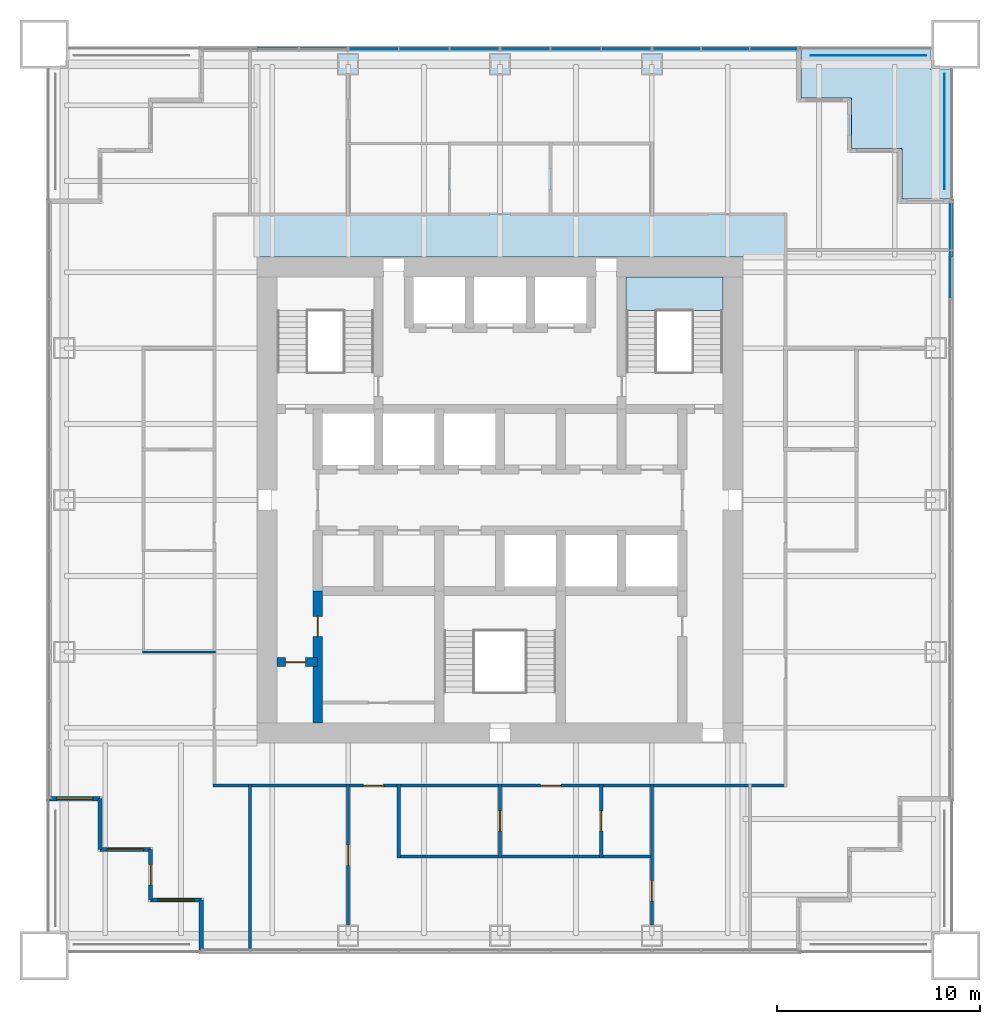
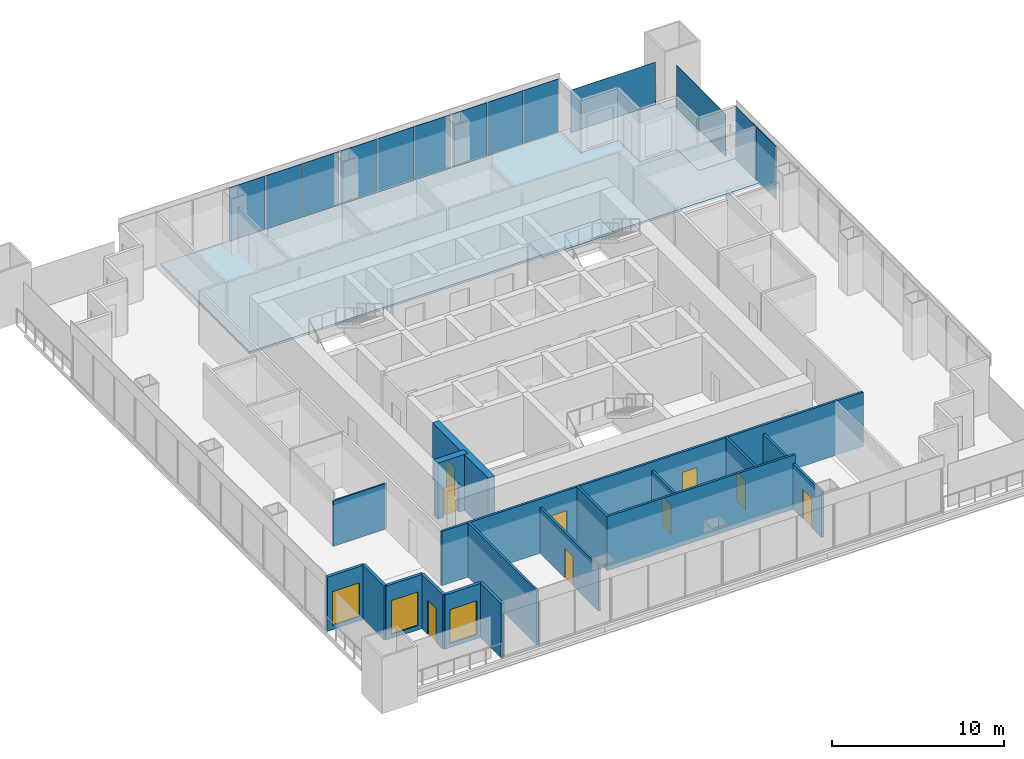
# One storey, part 8 of 13: 17 walls, 13 plates, 9 doors, 3 slabs, 3 windows, 12 openings, 5 elements without a shape of their own.
"""IFC4 building model written with IfcOpenShell, lengths in metres."""

import ifcopenshell
import ifcopenshell.guid

model = None  # the IFC model being written
_history = None  # IfcOwnerHistory: only IFC2X3 demands one
_inside = {}  # id of a spatial element -> (the spatial element, [elements in it])
_under = {}  # id of a project, library or spatial element -> (it, [spatial elements below it])
_declared = {}  # id of a project -> (the project, [libraries it declares])
_typed = {}  # id of a type object -> (the type object, [elements of that type])
_made_of = {}  # id of a material, layer set ... -> (it, [elements and type objects made of it])


def new_model(schema):
    """Start an empty IFC model of exactly this schema.

    Asked for "IFC4X3", IfcOpenShell would pick the latest addendum, in which some entities
    have other attributes; the version numbers below select the first issue.
    IFC2X3 requires an IfcOwnerHistory on every rooted entity: one is made here for all.
    """
    global model, _history
    if schema == "IFC4X3":
        model = ifcopenshell.file(schema_version=(4, 3, 0, 0))
    else:
        model = ifcopenshell.file(schema=schema)
    _inside.clear()
    _under.clear()
    _declared.clear()
    _typed.clear()
    _made_of.clear()
    _history = None
    if model.schema == "IFC2X3":
        org = make("IfcOrganization", Name="unknown")
        user = make(
            "IfcPersonAndOrganization",
            ThePerson=make("IfcPerson", FamilyName="unknown"),
            TheOrganization=org,
        )
        app = make(
            "IfcApplication",
            ApplicationDeveloper=org,
            Version="unknown",
            ApplicationFullName="unknown",
            ApplicationIdentifier="unknown",
        )
        _history = make(
            "IfcOwnerHistory",
            OwningUser=user,
            OwningApplication=app,
            ChangeAction="ADDED",
            CreationDate=0,
        )
    return model


def make(cls, **values):
    """One entity of the class cls with the attributes given. An attribute that is None is left unset."""
    return model.create_entity(
        cls, **{name: value for name, value in values.items() if value is not None}
    )


def rooted(cls, **values):
    """An entity with a GlobalId (a new one), such as an element, a storey or a relation."""
    return make(cls, GlobalId=ifcopenshell.guid.new(), OwnerHistory=_history, **values)


def si_unit(unit_type, name, prefix=None):
    """IfcSIUnit, for example si_unit("LENGTHUNIT", "METRE", prefix="MILLI")."""
    return make("IfcSIUnit", UnitType=unit_type, Prefix=prefix, Name=name)


def assignment(units):
    """IfcUnitAssignment: the units of a project."""
    return None if units is None else make("IfcUnitAssignment", Units=units)


def point(xyz):
    """IfcCartesianPoint."""
    return None if xyz is None else make("IfcCartesianPoint", Coordinates=xyz)


def direction(xyz):
    """IfcDirection."""
    return None if xyz is None else make("IfcDirection", DirectionRatios=xyz)


def frame(location, z_axis=None, x_axis=None):
    """IfcAxis2Placement3D, a coordinate frame: its origin and axes. An axis left out is left unset."""
    return make(
        "IfcAxis2Placement3D",
        Location=point(location),
        Axis=direction(z_axis),
        RefDirection=direction(x_axis),
    )


def frame_2d(location, x_axis=None):
    """IfcAxis2Placement2D, a coordinate frame in the plane: its origin and x axis."""
    return make(
        "IfcAxis2Placement2D", Location=point(location), RefDirection=direction(x_axis)
    )


def origin():
    """The frame at (0, 0, 0) with its axes left unset."""
    return frame((0.0, 0.0, 0.0))


def origin_2d():
    """The frame at (0, 0) in the plane with its x axis left unset."""
    return frame_2d((0.0, 0.0))


def place(relative_to, where):
    """IfcLocalPlacement: puts the frame where relative to a parent placement (None: the world)."""
    return make(
        "IfcLocalPlacement", PlacementRelTo=relative_to, RelativePlacement=where
    )


def context(
    kind, dimensions, precision=None, world=None, true_north=None, identifier=None
):
    """IfcGeometricRepresentationContext, for example the 3D "Model" context."""
    return make(
        "IfcGeometricRepresentationContext",
        ContextIdentifier=identifier,
        ContextType=kind,
        CoordinateSpaceDimension=dimensions,
        Precision=precision,
        WorldCoordinateSystem=world,
        TrueNorth=true_north,
    )


def subcontext(parent, identifier, kind, view, scale=None):
    """IfcGeometricRepresentationSubContext, for example "Body" below "Model"."""
    return make(
        "IfcGeometricRepresentationSubContext",
        ContextIdentifier=identifier,
        ContextType=kind,
        ParentContext=parent,
        TargetScale=scale,
        TargetView=view,
    )


def project(units=None, contexts=None):
    """IfcProject with its units and contexts."""
    return rooted(
        "IfcProject",
        Name="project",
        RepresentationContexts=contexts,
        UnitsInContext=assignment(units),
    )


def spatial(cls, under=None, at=None, **own):
    """A site, building, storey or space (cls), placed at a placement, below another one or the project."""
    s = rooted(cls, ObjectPlacement=at, **own)
    if under is not None:
        _under.setdefault(under.id(), (under, []))[1].append(s)
    return s


def polyline(points):
    """IfcPolyline through the points."""
    return make("IfcPolyline", Points=[point(p) for p in points])


def profile(cls, at=None, kind="AREA", **sizes):
    """A parametric profile (cls). Its sizes go by their IFC names, for example OverallWidth=200.0."""
    return make(cls, ProfileType=kind, Position=at, **sizes)


def rectangle(**sizes):
    """IfcRectangleProfileDef."""
    return profile("IfcRectangleProfileDef", **sizes)


def outline(outer, holes=None, kind="AREA"):
    """IfcArbitraryClosedProfileDef: a profile drawn as a closed curve; with holes, ...WithVoids."""
    if holes is None:
        return make("IfcArbitraryClosedProfileDef", ProfileType=kind, OuterCurve=outer)
    return make(
        "IfcArbitraryProfileDefWithVoids",
        ProfileType=kind,
        OuterCurve=outer,
        InnerCurves=holes,
    )


def extrude(swept, where, along, depth):
    """IfcExtrudedAreaSolid: the profile swept, set in the frame where, extruded along a direction by depth."""
    return make(
        "IfcExtrudedAreaSolid",
        SweptArea=swept,
        Position=where,
        ExtrudedDirection=direction(along),
        Depth=depth,
    )


def shape(context_of_items, identifier, shape_type, items):
    """IfcShapeRepresentation: the items that make up one representation, for example the "Body"."""
    return make(
        "IfcShapeRepresentation",
        ContextOfItems=context_of_items,
        RepresentationIdentifier=identifier,
        RepresentationType=shape_type,
        Items=items,
    )


def material(Name=None, Category=None):
    """IfcMaterial."""
    return make("IfcMaterial", Name=Name, Category=Category)


def layer(
    of_material, thickness, ventilated=None, Name=None, Category=None, Priority=None
):
    """IfcMaterialLayer: one layer of a wall or slab, of a material (None: an air gap)."""
    return make(
        "IfcMaterialLayer",
        Material=of_material,
        LayerThickness=thickness,
        IsVentilated=ventilated,
        Name=Name,
        Category=Category,
        Priority=Priority,
    )


def layer_set(layers, Name=None):
    """IfcMaterialLayerSet."""
    return make("IfcMaterialLayerSet", MaterialLayers=layers, LayerSetName=Name)


def made_of(thing, what):
    """Note that an element or type object is made of a material, layer set ...; save() writes the relation."""
    if what is not None:
        _made_of.setdefault(what.id(), (what, []))[1].append(thing)
    return thing


def type_object(cls, material=None, **own):
    """A type object (cls), such as IfcWallType, which elements share."""
    return made_of(rooted(cls, **own), material)


def element(
    cls,
    number,
    at=None,
    inside=None,
    cuts=None,
    type_object=None,
    material=None,
    context=None,
    identifier="Body",
    shape_type=None,
    held_by="IfcProductDefinitionShape",
    body=None,
    shapes=None,
    **own,
):
    """One element of the class cls, such as IfcWall. Its Tag is "e" and its number.

    at: its placement. inside: the storey or other place that contains it. cuts: it is an
    opening in that element (IfcRelVoidsElement). A single representation is given by context,
    identifier, shape_type and body (its items); several are given by shapes. held_by: the class
    of the entity that holds the representations. save() writes the other relations.
    """
    e = rooted(cls, Tag="e%d" % number, ObjectPlacement=at, **own)
    if body is not None:
        shapes = [shape(context, identifier, shape_type, body)]
    if shapes is not None:
        e.Representation = make(held_by, Representations=shapes)
    if inside is not None:
        _inside.setdefault(inside.id(), (inside, []))[1].append(e)
    if cuts is not None:
        rooted(
            "IfcRelVoidsElement", RelatingBuildingElement=cuts, RelatedOpeningElement=e
        )
    if type_object is not None:
        _typed.setdefault(type_object.id(), (type_object, []))[1].append(e)
    return made_of(e, material)


def fill(opening, filler):
    """IfcRelFillsElement: the door or window that sits in an opening."""
    return rooted(
        "IfcRelFillsElement",
        RelatingOpeningElement=opening,
        RelatedBuildingElement=filler,
    )


def aggregate(whole, parts):
    """IfcRelAggregates: a whole, such as a stair, and the parts it consists of."""
    return rooted("IfcRelAggregates", RelatingObject=whole, RelatedObjects=parts)


def save(model, path):
    """Write the relations noted so far, then the file.

    IfcRelAggregates (storeys below a building ...), IfcRelContainedInSpatialStructure (elements
    in a storey), IfcRelDefinesByType, IfcRelAssociatesMaterial and IfcRelDeclares: one each for
    every whole, place, type object, material and project.
    """
    for whole, parts in _under.values():
        aggregate(whole, parts)
    for where, things in _inside.values():
        rooted(
            "IfcRelContainedInSpatialStructure",
            RelatedElements=things,
            RelatingStructure=where,
        )
    for kind, things in _typed.values():
        rooted("IfcRelDefinesByType", RelatedObjects=things, RelatingType=kind)
    for what, things in _made_of.values():
        rooted("IfcRelAssociatesMaterial", RelatedObjects=things, RelatingMaterial=what)
    for by, libraries in _declared.values():
        rooted("IfcRelDeclares", RelatingContext=by, RelatedDefinitions=libraries)
    model.write(path)


model = new_model("IFC4")

# Units and contexts
model_context = context("Model", 3, precision=1e-05, world=origin(), true_north=direction((0.0, 1.0)))
body_context = subcontext(model_context, "Body", "Model", "MODEL_VIEW")
ifc_project = project(units=[si_unit("LENGTHUNIT", "METRE"), si_unit("AREAUNIT", "SQUARE_METRE"), si_unit("VOLUMEUNIT", "CUBIC_METRE"), si_unit("PLANEANGLEUNIT", "RADIAN"), si_unit("MASSUNIT", "GRAM", prefix="KILO")], contexts=[model_context])

# Site, building, storey
site_placement = place(None, origin())
site = spatial("IfcSite", under=ifc_project, at=site_placement, CompositionType="ELEMENT")
building_placement = place(site_placement, origin())
building = spatial("IfcBuilding", under=site, at=building_placement, Name="Tarangal Relay Tower", CompositionType="ELEMENT")
storey_placement = place(building_placement, frame((0.0, 0.0, 209.89990234375)))
storey = spatial("IfcBuildingStorey", under=building, at=storey_placement, Name="L44", CompositionType="ELEMENT", Elevation=209.89990234375)

# Slab
ifc_material_1 = material(Name="Concrete fc' 35 MPa", Category="concrete")
ifc_layer_1 = layer(ifc_material_1, 0.14990234375)
ifc_layer_set_1 = layer_set([ifc_layer_1], Name="Floor slab 150")
slab_type_1 = type_object("IfcSlabType", Name="Floor slab 150", PredefinedType="FLOOR", material=ifc_layer_set_1)
slab_1_placement = place(storey_placement, frame((0.0, 0.0, -0.14990234375)))
element("IfcSlab", 1, at=slab_1_placement, inside=storey, type_object=slab_type_1, Name="Floor slab FS3 L44 north bay", PredefinedType="FLOOR", context=body_context, shape_type="SweptSolid", body=[
    extrude(outline(polyline([(14.85009765625, 22.35009765625), (14.85009765625, 19.85009765625), (17.35009765625, 19.85009765625), (17.35009765625, 17.35009765625), (19.85009765625, 17.35009765625), (19.85009765625, 14.85009765625), (22.35009765625, 14.85009765625), (22.35009765625, 12.0), (-12.0, 12.0), (-12.0, 22.35009765625), (14.85009765625, 22.35009765625)])), origin(), (0.0, 0.0, 1.0), 0.14990234375),
])

# Curtain wall, plates
ifc_material_2 = material(Name="Unitised curtain wall, dark glass and black aluminium", Category="aluminium")
curtain_wall_type = type_object("IfcCurtainWallType", Name="Curtain wall CW-A", PredefinedType="USERDEFINED", material=ifc_material_2)
curtain_wall_1_placement = place(storey_placement, origin())
curtain_wall_1 = element("IfcCurtainWall", 2, at=curtain_wall_1_placement, inside=storey, type_object=curtain_wall_type, Name="Curtain wall CW-A N facade L44", ObjectType="UNITISED CURTAIN WALL", PredefinedType="USERDEFINED")
ifc_material_3 = material(Name="Dark tinted insulated glass unit", Category="glass")
ifc_layer_2 = layer(ifc_material_3, 0.031982421875)
ifc_layer_set_2 = layer_set([ifc_layer_2], Name="Glazed panel CW-A 32")
plate_type_1 = type_object("IfcPlateType", Name="Glazed panel CW-A 32", PredefinedType="CURTAIN_PANEL", material=ifc_layer_set_2)
plate_1_placement = place(storey_placement, frame((-6.233642578125, 22.25, 0.06494140625), z_axis=(0.0, 0.0, 1.0), x_axis=(1.0, 0.0, 0.0)))
plate_1 = element("IfcPlate", 3, at=plate_1_placement, type_object=plate_type_1, Name="CW-A panel 1.1", PredefinedType="CURTAIN_PANEL", context=body_context, shape_type="SweptSolid", body=[
    extrude(rectangle(XDim=2.402587890625, YDim=0.031982421875, at=origin_2d()), origin(), (0.0, 0.0, 1.0), 3.784912109375),
])
plate_2_placement = place(storey_placement, frame((-3.75, 22.25, 0.06494140625), z_axis=(0.0, 0.0, 1.0), x_axis=(1.0, 0.0, 0.0)))
plate_2 = element("IfcPlate", 4, at=plate_2_placement, type_object=plate_type_1, Name="CW-A panel 2.1", PredefinedType="CURTAIN_PANEL", context=body_context, shape_type="SweptSolid", body=[
    extrude(rectangle(XDim=2.43505859375, YDim=0.031982421875, at=origin_2d()), origin(), (0.0, 0.0, 1.0), 3.784912109375),
])
plate_3_placement = place(storey_placement, frame((-1.266357421875, 22.25, 0.06494140625), z_axis=(0.0, 0.0, 1.0), x_axis=(1.0, 0.0, 0.0)))
plate_3 = element("IfcPlate", 5, at=plate_3_placement, type_object=plate_type_1, Name="CW-A panel 3.1", PredefinedType="CURTAIN_PANEL", context=body_context, shape_type="SweptSolid", body=[
    extrude(rectangle(XDim=2.402587890625, YDim=0.031982421875, at=origin_2d()), origin(), (0.0, 0.0, 1.0), 3.784912109375),
])
aggregate(curtain_wall_1, [plate_1, plate_2, plate_3])

curtain_wall_2_placement = place(storey_placement, origin())
curtain_wall_2 = element("IfcCurtainWall", 6, at=curtain_wall_2_placement, inside=storey, type_object=curtain_wall_type, Name="Curtain wall CW-A N facade L44", ObjectType="UNITISED CURTAIN WALL", PredefinedType="USERDEFINED")
plate_4_placement = place(storey_placement, frame((1.266357421875, 22.25, 0.06494140625), z_axis=(0.0, 0.0, 1.0), x_axis=(1.0, 0.0, 0.0)))
plate_4 = element("IfcPlate", 7, at=plate_4_placement, type_object=plate_type_1, Name="CW-A panel 1.1", PredefinedType="CURTAIN_PANEL", context=body_context, shape_type="SweptSolid", body=[
    extrude(rectangle(XDim=2.402587890625, YDim=0.031982421875, at=origin_2d()), origin(), (0.0, 0.0, 1.0), 3.784912109375),
])
plate_5_placement = place(storey_placement, frame((3.75, 22.25, 0.06494140625), z_axis=(0.0, 0.0, 1.0), x_axis=(1.0, 0.0, 0.0)))
plate_5 = element("IfcPlate", 8, at=plate_5_placement, type_object=plate_type_1, Name="CW-A panel 2.1", PredefinedType="CURTAIN_PANEL", context=body_context, shape_type="SweptSolid", body=[
    extrude(rectangle(XDim=2.43505859375, YDim=0.031982421875, at=origin_2d()), origin(), (0.0, 0.0, 1.0), 3.784912109375),
])
plate_6_placement = place(storey_placement, frame((6.233642578125, 22.25, 0.06494140625), z_axis=(0.0, 0.0, 1.0), x_axis=(1.0, 0.0, 0.0)))
plate_6 = element("IfcPlate", 9, at=plate_6_placement, type_object=plate_type_1, Name="CW-A panel 3.1", PredefinedType="CURTAIN_PANEL", context=body_context, shape_type="SweptSolid", body=[
    extrude(rectangle(XDim=2.402587890625, YDim=0.031982421875, at=origin_2d()), origin(), (0.0, 0.0, 1.0), 3.784912109375),
])
aggregate(curtain_wall_2, [plate_4, plate_5, plate_6])

curtain_wall_3_placement = place(storey_placement, origin())
curtain_wall_3 = element("IfcCurtainWall", 10, at=curtain_wall_3_placement, inside=storey, type_object=curtain_wall_type, Name="Curtain wall CW-A N facade L44", ObjectType="UNITISED CURTAIN WALL", PredefinedType="USERDEFINED")
plate_7_placement = place(storey_placement, frame((8.724609375, 22.25, 0.06494140625), z_axis=(0.0, 0.0, 1.0), x_axis=(1.0, 0.0, 0.0)))
plate_7 = element("IfcPlate", 11, at=plate_7_placement, type_object=plate_type_1, Name="CW-A panel 1.1", PredefinedType="CURTAIN_PANEL", context=body_context, shape_type="SweptSolid", body=[
    extrude(rectangle(XDim=2.319091796875, YDim=0.031982421875, at=origin_2d()), origin(), (0.0, 0.0, 1.0), 3.784912109375),
])
plate_8_placement = place(storey_placement, frame((11.125, 22.25, 0.06494140625), z_axis=(0.0, 0.0, 1.0), x_axis=(1.0, 0.0, 0.0)))
plate_8 = element("IfcPlate", 12, at=plate_8_placement, type_object=plate_type_1, Name="CW-A panel 2.1", PredefinedType="CURTAIN_PANEL", context=body_context, shape_type="SweptSolid", body=[
    extrude(rectangle(XDim=2.3515625, YDim=0.031982421875, at=origin_2d()), origin(), (0.0, 0.0, 1.0), 3.784912109375),
])
plate_9_placement = place(storey_placement, frame((13.525390625, 22.25, 0.06494140625), z_axis=(0.0, 0.0, 1.0), x_axis=(1.0, 0.0, 0.0)))
plate_9 = element("IfcPlate", 13, at=plate_9_placement, type_object=plate_type_1, Name="CW-A panel 3.1", PredefinedType="CURTAIN_PANEL", context=body_context, shape_type="SweptSolid", body=[
    extrude(rectangle(XDim=2.319091796875, YDim=0.031982421875, at=origin_2d()), origin(), (0.0, 0.0, 1.0), 3.784912109375),
])
aggregate(curtain_wall_3, [plate_7, plate_8, plate_9])

curtain_wall_4_placement = place(storey_placement, origin())
curtain_wall_4 = element("IfcCurtainWall", 14, at=curtain_wall_4_placement, inside=storey, type_object=curtain_wall_type, Name="Curtain wall CW-A E facade L44", ObjectType="UNITISED CURTAIN WALL", PredefinedType="USERDEFINED")
plate_10_placement = place(storey_placement, frame((22.25, 13.525390625, 0.06494140625), z_axis=(0.0, 0.0, 1.0), x_axis=(0.0, -1.0, 0.0)))
plate_10 = element("IfcPlate", 15, at=plate_10_placement, type_object=plate_type_1, Name="CW-A panel 1.1", PredefinedType="CURTAIN_PANEL", context=body_context, shape_type="SweptSolid", body=[
    extrude(rectangle(XDim=2.319091796875, YDim=0.031982421875, at=origin_2d()), origin(), (0.0, 0.0, 1.0), 3.784912109375),
])
plate_11_placement = place(storey_placement, frame((22.25, 11.125, 0.06494140625), z_axis=(0.0, 0.0, 1.0), x_axis=(0.0, -1.0, 0.0)))
plate_11 = element("IfcPlate", 16, at=plate_11_placement, type_object=plate_type_1, Name="CW-A panel 2.1", PredefinedType="CURTAIN_PANEL", context=body_context, shape_type="SweptSolid", body=[
    extrude(rectangle(XDim=2.3515625, YDim=0.031982421875, at=origin_2d()), origin(), (0.0, 0.0, 1.0), 3.784912109375),
])
aggregate(curtain_wall_4, [plate_10, plate_11])

# Plate
ifc_material_4 = material(Name="Black stainless steel cable trellis with climbing planting", Category="steel")
ifc_layer_3 = layer(ifc_material_4, 0.030029296875)
ifc_layer_set_3 = layer_set([ifc_layer_3], Name="Planted trellis screen")
plate_type_2 = type_object("IfcPlateType", Name="Planted trellis screen", PredefinedType="SHEET", material=ifc_layer_set_3)
plate_12_placement = place(storey_placement, frame((21.949951171875, 18.199951171875, 0.0), z_axis=(0.0, 0.0, 1.0), x_axis=(0.0, -1.0, 0.0)))
element("IfcPlate", 17, at=plate_12_placement, inside=storey, type_object=plate_type_2, Name="Planted trellis SC2 NE L44", PredefinedType="SHEET", context=body_context, shape_type="SweptSolid", body=[
    extrude(rectangle(XDim=5.699951171875, YDim=0.030029296875, at=origin_2d()), origin(), (0.0, 0.0, 1.0), 3.0),
])

# Stair, slab
ifc_material_5 = material(Name="Steel ASTM A992 stair flight", Category="steel")
stair_type = type_object("IfcStairType", Name="Core stair 1500", PredefinedType="HALF_TURN_STAIR", material=ifc_material_5)
stair_placement = place(storey_placement, origin())
stair = element("IfcStair", 18, at=stair_placement, inside=storey, type_object=stair_type, Name="Stair ST-B L44", PredefinedType="HALF_TURN_STAIR")
ifc_layer_4 = layer(ifc_material_1, 0.199951171875)
ifc_layer_set_4 = layer_set([ifc_layer_4], Name="Stair landing 200")
slab_type_2 = type_object("IfcSlabType", Name="Stair landing 200", PredefinedType="LANDING", material=ifc_layer_set_4)
slab_2_placement = place(storey_placement, frame((0.0, 0.0, 1.800048828125)))
slab_2 = element("IfcSlab", 19, at=slab_2_placement, type_object=slab_type_2, Name="ST-B landing 2", PredefinedType="LANDING", context=body_context, shape_type="SweptSolid", body=[
    extrude(outline(polyline([(6.22509765625, 9.346923828125), (11.0, 9.346923828125), (11.0, 11.0), (6.22509765625, 11.0), (6.22509765625, 9.346923828125)])), origin(), (0.0, 0.0, 1.0), 0.199951171875),
])
aggregate(stair, [slab_2])

# Plate
ifc_material_6 = material(Name="Perforated black aluminium screen", Category="aluminium")
ifc_layer_5 = layer(ifc_material_6, 0.02001953125)
ifc_layer_set_5 = layer_set([ifc_layer_5], Name="Terrace screen panel")
plate_type_3 = type_object("IfcPlateType", Name="Terrace screen panel", PredefinedType="SHEET", material=ifc_layer_set_5)
plate_13_placement = place(storey_placement, frame((18.199951171875, 21.949951171875, 0.0), z_axis=(0.0, 0.0, 1.0), x_axis=(1.0, 0.0, 0.0)))
element("IfcPlate", 20, at=plate_13_placement, inside=storey, type_object=plate_type_3, Name="Terrace screen SC1 NE L44", PredefinedType="SHEET", context=body_context, shape_type="SweptSolid", body=[
    extrude(rectangle(XDim=5.699951171875, YDim=0.02001953125, at=origin_2d()), origin(), (0.0, 0.0, 1.0), 3.0),
])

# Slab
ifc_layer_6 = layer(ifc_material_1, 0.14990234375)
ifc_layer_set_6 = layer_set([ifc_layer_6], Name="Terrace slab 150")
slab_type_3 = type_object("IfcSlabType", Name="Terrace slab 150", PredefinedType="FLOOR", material=ifc_layer_set_6)
slab_3_placement = place(storey_placement, frame((0.0, 0.0, -0.14990234375)))
element("IfcSlab", 21, at=slab_3_placement, inside=storey, type_object=slab_type_3, Name="Corner terrace NE L44", PredefinedType="FLOOR", context=body_context, shape_type="SweptSolid", body=[
    extrude(outline(polyline([(14.85009765625, 22.35009765625), (14.85009765625, 19.85009765625), (17.35009765625, 19.85009765625), (17.35009765625, 17.35009765625), (19.85009765625, 17.35009765625), (19.85009765625, 14.85009765625), (22.35009765625, 14.85009765625), (22.35009765625, 21.25), (21.25, 21.25), (21.25, 22.35009765625), (14.85009765625, 22.35009765625)])), origin(), (0.0, 0.0, 1.0), 0.14990234375),
])

# Wall, opening, door
ifc_material_7 = material(Name="Concrete fc' 60 MPa", Category="concrete")
ifc_layer_7 = layer(ifc_material_7, 0.449951171875)
ifc_layer_set_7 = layer_set([ifc_layer_7], Name="Core inner wall 450")
wall_type_1 = type_object("IfcWallType", Name="Core inner wall 450", PredefinedType="SHEAR", material=ifc_layer_set_7)
wall_1_placement = place(storey_placement, frame((-11.0, -8.0, 0.0), z_axis=(0.0, 0.0, 1.0), x_axis=(1.0, 0.0, 0.0)))
wall_1 = element("IfcWall", 22, at=wall_1_placement, inside=storey, type_object=wall_type_1, Name="Core wall YM8 L44", PredefinedType="SHEAR", context=body_context, shape_type="SweptSolid", body=[
    extrude(rectangle(XDim=2.0, YDim=0.449951171875, at=frame_2d((1.0, 0.0))), origin(), (0.0, 0.0, 1.0), 4.0),
])
opening_1_placement = place(wall_1_placement, frame((0.39990234375, 0.0, 0.0)))
opening_1 = element("IfcOpeningElement", 23, at=opening_1_placement, cuts=wall_1, Name="Opening D1", PredefinedType="OPENING", context=body_context, shape_type="SweptSolid", body=[
    extrude(rectangle(XDim=1.0, YDim=2.10009765625, at=frame_2d((0.5, 1.050048828125))), frame((0.0, 0.23486328125, 0.0), z_axis=(0.0, -1.0, 0.0), x_axis=(1.0, 0.0, 0.0)), (0.0, 0.0, 1.0), 0.469970703125),
])
ifc_material_8 = material(Name="Hardwood door", Category="wood")
door_type_1 = type_object("IfcDoorType", Name="WC door 1000 x 2100", OperationType="SINGLE_SWING_LEFT", PredefinedType="DOOR", material=ifc_material_8)
door_1_placement = place(opening_1_placement, origin())
door_1 = element("IfcDoor", 24, at=door_1_placement, inside=storey, type_object=door_type_1, Name="Accessible WC door L44", OperationType="SINGLE_SWING_LEFT", OverallHeight=2.10009765625, OverallWidth=1.0, PredefinedType="DOOR", context=body_context, shape_type="SweptSolid", body=[
    extrude(rectangle(XDim=1.0, YDim=2.10009765625, at=frame_2d((0.5, 1.050048828125))), frame((0.0, 0.02490234375, 0.0), z_axis=(0.0, -1.0, 0.0), x_axis=(1.0, 0.0, 0.0)), (0.0, 0.0, 1.0), 0.050048828125),
])
fill(opening_1, door_1)

wall_2_placement = place(storey_placement, frame((-9.0, -11.0, 0.0), z_axis=(0.0, 0.0, 1.0), x_axis=(0.0, 1.0, 0.0)))
wall_2 = element("IfcWall", 25, at=wall_2_placement, inside=storey, type_object=wall_type_1, Name="Core wall XM9W L44", PredefinedType="SHEAR", context=body_context, shape_type="SweptSolid", body=[
    extrude(rectangle(XDim=6.5, YDim=0.449951171875, at=frame_2d((3.25, 0.0))), origin(), (0.0, 0.0, 1.0), 4.0),
])
opening_2_placement = place(wall_2_placement, frame((4.25, 0.0, 0.0)))
opening_2 = element("IfcOpeningElement", 26, at=opening_2_placement, cuts=wall_2, Name="Opening D1", PredefinedType="OPENING", context=body_context, shape_type="SweptSolid", body=[
    extrude(rectangle(XDim=1.0, YDim=2.10009765625, at=frame_2d((0.5, 1.050048828125))), frame((0.0, 0.23486328125, 0.0), z_axis=(0.0, -1.0, 0.0), x_axis=(1.0, 0.0, 0.0)), (0.0, 0.0, 1.0), 0.469970703125),
])
door_2_placement = place(opening_2_placement, origin())
door_2 = element("IfcDoor", 27, at=door_2_placement, inside=storey, type_object=door_type_1, Name="Male WC door L44", OperationType="SINGLE_SWING_LEFT", OverallHeight=2.10009765625, OverallWidth=1.0, PredefinedType="DOOR", context=body_context, shape_type="SweptSolid", body=[
    extrude(rectangle(XDim=1.0, YDim=2.10009765625, at=frame_2d((0.5, 1.050048828125))), frame((0.0, 0.02490234375, 0.0), z_axis=(0.0, -1.0, 0.0), x_axis=(1.0, 0.0, 0.0)), (0.0, 0.0, 1.0), 0.050048828125),
])
fill(opening_2, door_2)

# Wall
ifc_material_9 = material(Name="Black metal clad insulated wall", Category="steel")
ifc_layer_8 = layer(ifc_material_9, 0.199951171875)
ifc_layer_set_8 = layer_set([ifc_layer_8], Name="Corner wall metal clad 200")
wall_type_2 = type_object("IfcWallType", Name="Corner wall metal clad 200", PredefinedType="SOLIDWALL", material=ifc_layer_set_8)
wall_3_placement = place(storey_placement, frame((-14.75, -22.25, 0.0), z_axis=(0.0, 0.0, 1.0), x_axis=(0.0, 1.0, 0.0)))
element("IfcWall", 28, at=wall_3_placement, inside=storey, type_object=wall_type_2, Name="Facade wall S facade L44", PredefinedType="SOLIDWALL", context=body_context, shape_type="SweptSolid", body=[
    extrude(rectangle(XDim=2.5, YDim=0.199951171875, at=frame_2d((1.25, 0.0))), origin(), (0.0, 0.0, 1.0), 3.85009765625),
])

# Wall, opening, window
wall_4_placement = place(storey_placement, frame((-14.75, -19.75, 0.0), z_axis=(0.0, 0.0, 1.0), x_axis=(-1.0, 0.0, 0.0)))
wall_4 = element("IfcWall", 29, at=wall_4_placement, inside=storey, type_object=wall_type_2, Name="Facade wall S facade L44", PredefinedType="SOLIDWALL", context=body_context, shape_type="SweptSolid", body=[
    extrude(rectangle(XDim=2.5, YDim=0.199951171875, at=frame_2d((1.25, 0.0))), origin(), (0.0, 0.0, 1.0), 3.85009765625),
])
opening_3_placement = place(wall_4_placement, frame((0.35009765625, 0.0, 0.300048828125)))
opening_3 = element("IfcOpeningElement", 30, at=opening_3_placement, cuts=wall_4, Name="Opening WN2", PredefinedType="OPENING", context=body_context, shape_type="SweptSolid", body=[
    extrude(rectangle(XDim=1.800048828125, YDim=2.39990234375, at=frame_2d((0.89990234375, 1.199951171875))), frame((0.0, 0.10986328125, 0.0), z_axis=(0.0, -1.0, 0.0), x_axis=(1.0, 0.0, 0.0)), (0.0, 0.0, 1.0), 0.219970703125),
])
ifc_material_10 = material(Name="Dark tinted double glazing in black aluminium frame", Category="aluminium")
window_type = type_object("IfcWindowType", Name="Corner window 1800 x 2400", PartitioningType="SINGLE_PANEL", PredefinedType="WINDOW", material=ifc_material_10)
window_1_placement = place(opening_3_placement, origin())
window_1 = element("IfcWindow", 31, at=window_1_placement, inside=storey, type_object=window_type, Name="Corner window WN2 S facade L44", OverallHeight=2.39990234375, OverallWidth=1.800048828125, PartitioningType="SINGLE_PANEL", PredefinedType="WINDOW", context=body_context, shape_type="SweptSolid", body=[
    extrude(rectangle(XDim=1.800048828125, YDim=2.39990234375, at=frame_2d((0.89990234375, 1.199951171875))), frame((0.0, 0.030029296875, 0.0), z_axis=(0.0, -1.0, 0.0), x_axis=(1.0, 0.0, 0.0)), (0.0, 0.0, 1.0), 0.06005859375),
])
fill(opening_3, window_1)

# Wall, opening, door
wall_5_placement = place(storey_placement, frame((-17.25, -19.75, 0.0), z_axis=(0.0, 0.0, 1.0), x_axis=(0.0, 1.0, 0.0)))
wall_5 = element("IfcWall", 32, at=wall_5_placement, inside=storey, type_object=wall_type_2, Name="Facade wall S facade L44", PredefinedType="SOLIDWALL", context=body_context, shape_type="SweptSolid", body=[
    extrude(rectangle(XDim=2.5, YDim=0.199951171875, at=frame_2d((1.25, 0.0))), origin(), (0.0, 0.0, 1.0), 3.85009765625),
])
opening_4_placement = place(wall_5_placement, frame((0.75, 0.0, 0.0)))
opening_4 = element("IfcOpeningElement", 33, at=opening_4_placement, cuts=wall_5, Name="Opening TD1", PredefinedType="OPENING", context=body_context, shape_type="SweptSolid", body=[
    extrude(rectangle(XDim=1.0, YDim=2.39990234375, at=frame_2d((0.5, 1.199951171875))), frame((0.0, 0.10986328125, 0.0), z_axis=(0.0, -1.0, 0.0), x_axis=(1.0, 0.0, 0.0)), (0.0, 0.0, 1.0), 0.219970703125),
])
ifc_material_11 = material(Name="Aluminium glazed door", Category="aluminium")
door_type_2 = type_object("IfcDoorType", Name="Terrace door 1000 x 2400", OperationType="SINGLE_SWING_RIGHT", PredefinedType="DOOR", material=ifc_material_11)
door_3_placement = place(opening_4_placement, origin())
door_3 = element("IfcDoor", 34, at=door_3_placement, inside=storey, type_object=door_type_2, Name="Terrace door TD1 SW L44", OperationType="SINGLE_SWING_RIGHT", OverallHeight=2.39990234375, OverallWidth=1.0, PredefinedType="DOOR", context=body_context, shape_type="SweptSolid", body=[
    extrude(rectangle(XDim=1.0, YDim=2.39990234375, at=frame_2d((0.5, 1.199951171875))), frame((0.0, 0.02490234375, 0.0), z_axis=(0.0, -1.0, 0.0), x_axis=(1.0, 0.0, 0.0)), (0.0, 0.0, 1.0), 0.050048828125),
])
fill(opening_4, door_3)

# Wall, opening, window
wall_6_placement = place(storey_placement, frame((-17.25, -17.25, 0.0), z_axis=(0.0, 0.0, 1.0), x_axis=(-1.0, 0.0, 0.0)))
wall_6 = element("IfcWall", 35, at=wall_6_placement, inside=storey, type_object=wall_type_2, Name="Facade wall S facade L44", PredefinedType="SOLIDWALL", context=body_context, shape_type="SweptSolid", body=[
    extrude(rectangle(XDim=2.5, YDim=0.199951171875, at=frame_2d((1.25, 0.0))), origin(), (0.0, 0.0, 1.0), 3.85009765625),
])
opening_5_placement = place(wall_6_placement, frame((0.35009765625, 0.0, 0.300048828125)))
opening_5 = element("IfcOpeningElement", 36, at=opening_5_placement, cuts=wall_6, Name="Opening WN2", PredefinedType="OPENING", context=body_context, shape_type="SweptSolid", body=[
    extrude(rectangle(XDim=1.800048828125, YDim=2.39990234375, at=frame_2d((0.89990234375, 1.199951171875))), frame((0.0, 0.10986328125, 0.0), z_axis=(0.0, -1.0, 0.0), x_axis=(1.0, 0.0, 0.0)), (0.0, 0.0, 1.0), 0.219970703125),
])
window_2_placement = place(opening_5_placement, origin())
window_2 = element("IfcWindow", 37, at=window_2_placement, inside=storey, type_object=window_type, Name="Corner window WN2 S facade L44", OverallHeight=2.39990234375, OverallWidth=1.800048828125, PartitioningType="SINGLE_PANEL", PredefinedType="WINDOW", context=body_context, shape_type="SweptSolid", body=[
    extrude(rectangle(XDim=1.800048828125, YDim=2.39990234375, at=frame_2d((0.89990234375, 1.199951171875))), frame((0.0, 0.030029296875, 0.0), z_axis=(0.0, -1.0, 0.0), x_axis=(1.0, 0.0, 0.0)), (0.0, 0.0, 1.0), 0.06005859375),
])
fill(opening_5, window_2)

# Wall
wall_7_placement = place(storey_placement, frame((-19.75, -17.25, 0.0), z_axis=(0.0, 0.0, 1.0), x_axis=(0.0, 1.0, 0.0)))
element("IfcWall", 38, at=wall_7_placement, inside=storey, type_object=wall_type_2, Name="Facade wall S facade L44", PredefinedType="SOLIDWALL", context=body_context, shape_type="SweptSolid", body=[
    extrude(rectangle(XDim=2.5, YDim=0.199951171875, at=frame_2d((1.25, 0.0))), origin(), (0.0, 0.0, 1.0), 3.85009765625),
])

# Wall, opening, window
wall_8_placement = place(storey_placement, frame((-19.75, -14.75, 0.0), z_axis=(0.0, 0.0, 1.0), x_axis=(-1.0, 0.0, 0.0)))
wall_8 = element("IfcWall", 39, at=wall_8_placement, inside=storey, type_object=wall_type_2, Name="Facade wall S facade L44", PredefinedType="SOLIDWALL", context=body_context, shape_type="SweptSolid", body=[
    extrude(rectangle(XDim=2.5, YDim=0.199951171875, at=frame_2d((1.25, 0.0))), origin(), (0.0, 0.0, 1.0), 3.85009765625),
])
opening_6_placement = place(wall_8_placement, frame((0.35009765625, 0.0, 0.300048828125)))
opening_6 = element("IfcOpeningElement", 40, at=opening_6_placement, cuts=wall_8, Name="Opening WN2", PredefinedType="OPENING", context=body_context, shape_type="SweptSolid", body=[
    extrude(rectangle(XDim=1.800048828125, YDim=2.39990234375, at=frame_2d((0.89990234375, 1.199951171875))), frame((0.0, 0.10986328125, 0.0), z_axis=(0.0, -1.0, 0.0), x_axis=(1.0, 0.0, 0.0)), (0.0, 0.0, 1.0), 0.219970703125),
])
window_3_placement = place(opening_6_placement, origin())
window_3 = element("IfcWindow", 41, at=window_3_placement, inside=storey, type_object=window_type, Name="Corner window WN2 S facade L44", OverallHeight=2.39990234375, OverallWidth=1.800048828125, PartitioningType="SINGLE_PANEL", PredefinedType="WINDOW", context=body_context, shape_type="SweptSolid", body=[
    extrude(rectangle(XDim=1.800048828125, YDim=2.39990234375, at=frame_2d((0.89990234375, 1.199951171875))), frame((0.0, 0.030029296875, 0.0), z_axis=(0.0, -1.0, 0.0), x_axis=(1.0, 0.0, 0.0)), (0.0, 0.0, 1.0), 0.06005859375),
])
fill(opening_6, window_3)

# Walls
ifc_material_12 = material(Name="Double glazed aluminium framed partition", Category="aluminium")
ifc_layer_9 = layer(ifc_material_12, 0.10009765625)
ifc_layer_set_9 = layer_set([ifc_layer_9], Name="Glazed partition 100")
wall_type_3 = type_object("IfcWallType", Name="Glazed partition 100", PredefinedType="PARTITIONING", material=ifc_layer_set_9)
wall_9_placement = place(storey_placement, frame((-17.64990234375, -7.5, 0.0), z_axis=(0.0, 0.0, 1.0), x_axis=(1.0, 0.0, 0.0)))
element("IfcWall", 42, at=wall_9_placement, inside=storey, type_object=wall_type_3, Name="Partition PT3 L44", PredefinedType="PARTITIONING", context=body_context, shape_type="SweptSolid", body=[
    extrude(rectangle(XDim=3.599853515625, YDim=0.10009765625, at=frame_2d((1.7998046875, 0.0))), origin(), (0.0, 0.0, 1.0), 3.238037109375),
])
ifc_material_13 = material(Name="Gypsum board on steel studs", Category="steel")
ifc_layer_10 = layer(ifc_material_13, 0.14990234375)
ifc_layer_set_10 = layer_set([ifc_layer_10], Name="Partition 150")
wall_type_4 = type_object("IfcWallType", Name="Partition 150", PredefinedType="PARTITIONING", material=ifc_layer_set_10)
wall_10_placement = place(storey_placement, frame((-5.074951171875, -17.60009765625, 0.0), z_axis=(0.0, 0.0, 1.0), x_axis=(1.0, 0.0, 0.0)))
element("IfcWall", 43, at=wall_10_placement, inside=storey, type_object=wall_type_4, Name="Partition PT1 L44", PredefinedType="PARTITIONING", context=body_context, shape_type="SweptSolid", body=[
    extrude(rectangle(XDim=12.64990234375, YDim=0.14990234375, at=frame_2d((6.324951171875, 0.0))), origin(), (0.0, 0.0, 1.0), 3.85009765625),
])

# Wall, openings, doors
wall_11_placement = place(storey_placement, frame((-14.175048828125, -14.10009765625, 0.0), z_axis=(0.0, 0.0, 1.0), x_axis=(1.0, 0.0, 0.0)))
wall_11 = element("IfcWall", 44, at=wall_11_placement, inside=storey, type_object=wall_type_4, Name="Partition PT1 L44", PredefinedType="PARTITIONING", context=body_context, shape_type="SweptSolid", body=[
    extrude(rectangle(XDim=28.35009765625, YDim=0.14990234375, at=frame_2d((14.175048828125, 0.0))), origin(), (0.0, 0.0, 1.0), 3.85009765625),
])
opening_7_placement = place(wall_11_placement, frame((7.425048828125, 0.0, 0.0)))
opening_7 = element("IfcOpeningElement", 45, at=opening_7_placement, cuts=wall_11, Name="Opening SD1", PredefinedType="OPENING", context=body_context, shape_type="SweptSolid", body=[
    extrude(rectangle(XDim=1.0, YDim=2.39990234375, at=frame_2d((0.5, 1.199951171875))), frame((0.0, 0.0849609375, 0.0), z_axis=(0.0, -1.0, 0.0), x_axis=(1.0, 0.0, 0.0)), (0.0, 0.0, 1.0), 0.169921875),
])
opening_8_placement = place(wall_11_placement, frame((16.175048828125, 0.0, 0.0)))
opening_8 = element("IfcOpeningElement", 46, at=opening_8_placement, cuts=wall_11, Name="Opening SD1", PredefinedType="OPENING", context=body_context, shape_type="SweptSolid", body=[
    extrude(rectangle(XDim=1.0, YDim=2.39990234375, at=frame_2d((0.5, 1.199951171875))), frame((0.0, 0.0849609375, 0.0), z_axis=(0.0, -1.0, 0.0), x_axis=(1.0, 0.0, 0.0)), (0.0, 0.0, 1.0), 0.169921875),
])
ifc_material_14 = material(Name="Steel door with hardwood frame", Category="steel")
door_type_3 = type_object("IfcDoorType", Name="Suite entrance door 1000 x 2400", OperationType="SINGLE_SWING_RIGHT", PredefinedType="DOOR", material=ifc_material_14)
door_4_placement = place(opening_7_placement, origin())
door_4 = element("IfcDoor", 47, at=door_4_placement, inside=storey, type_object=door_type_3, Name="Door SD1 to open plan office L44-11", OperationType="SINGLE_SWING_RIGHT", OverallHeight=2.39990234375, OverallWidth=1.0, PredefinedType="DOOR", context=body_context, shape_type="SweptSolid", body=[
    extrude(rectangle(XDim=1.0, YDim=2.39990234375, at=frame_2d((0.5, 1.199951171875))), frame((0.0, 0.02490234375, 0.0), z_axis=(0.0, -1.0, 0.0), x_axis=(1.0, 0.0, 0.0)), (0.0, 0.0, 1.0), 0.050048828125),
])
fill(opening_7, door_4)
door_5_placement = place(opening_8_placement, origin())
door_5 = element("IfcDoor", 48, at=door_5_placement, inside=storey, type_object=door_type_3, Name="Door SD1 to reception L44-12", OperationType="SINGLE_SWING_RIGHT", OverallHeight=2.39990234375, OverallWidth=1.0, PredefinedType="DOOR", context=body_context, shape_type="SweptSolid", body=[
    extrude(rectangle(XDim=1.0, YDim=2.39990234375, at=frame_2d((0.5, 1.199951171875))), frame((0.0, 0.02490234375, 0.0), z_axis=(0.0, -1.0, 0.0), x_axis=(1.0, 0.0, 0.0)), (0.0, 0.0, 1.0), 0.050048828125),
])
fill(opening_8, door_5)

# Wall
wall_12_placement = place(storey_placement, frame((-12.3330078125, -22.14990234375, 0.0), z_axis=(0.0, 0.0, 1.0), x_axis=(0.0, 1.0, 0.0)))
element("IfcWall", 49, at=wall_12_placement, inside=storey, type_object=wall_type_4, Name="Partition PT1 L44", PredefinedType="PARTITIONING", context=body_context, shape_type="SweptSolid", body=[
    extrude(rectangle(XDim=8.125, YDim=0.14990234375, at=frame_2d((4.0625, 0.0))), origin(), (0.0, 0.0, 1.0), 3.85009765625),
])

# Wall, opening, door
wall_13_placement = place(storey_placement, frame((-7.5, -20.989990234375, 0.0), z_axis=(0.0, 0.0, 1.0), x_axis=(0.0, 1.0, 0.0)))
wall_13 = element("IfcWall", 50, at=wall_13_placement, inside=storey, type_object=wall_type_4, Name="Partition PT1 L44", PredefinedType="PARTITIONING", context=body_context, shape_type="SweptSolid", body=[
    extrude(rectangle(XDim=6.965087890625, YDim=0.14990234375, at=frame_2d((3.482421875, 0.0))), origin(), (0.0, 0.0, 1.0), 3.238037109375),
])
opening_9_placement = place(wall_13_placement, frame((2.945068359375, 0.0, 0.0)))
opening_9 = element("IfcOpeningElement", 51, at=opening_9_placement, cuts=wall_13, Name="Opening D2", PredefinedType="OPENING", context=body_context, shape_type="SweptSolid", body=[
    extrude(rectangle(XDim=1.0, YDim=2.10009765625, at=frame_2d((0.5, 1.050048828125))), frame((0.0, 0.0849609375, 0.0), z_axis=(0.0, -1.0, 0.0), x_axis=(1.0, 0.0, 0.0)), (0.0, 0.0, 1.0), 0.169921875),
])
door_type_4 = type_object("IfcDoorType", Name="Door 1000 x 2100", OperationType="SINGLE_SWING_LEFT", PredefinedType="DOOR", material=ifc_material_8)
door_6_placement = place(opening_9_placement, origin())
door_6 = element("IfcDoor", 52, at=door_6_placement, inside=storey, type_object=door_type_4, Name="Door D2 to cellular office L44-14", OperationType="SINGLE_SWING_LEFT", OverallHeight=2.10009765625, OverallWidth=1.0, PredefinedType="DOOR", context=body_context, shape_type="SweptSolid", body=[
    extrude(rectangle(XDim=1.0, YDim=2.10009765625, at=frame_2d((0.5, 1.050048828125))), frame((0.0, 0.02490234375, 0.0), z_axis=(0.0, -1.0, 0.0), x_axis=(1.0, 0.0, 0.0)), (0.0, 0.0, 1.0), 0.050048828125),
])
fill(opening_9, door_6)

# Wall
wall_14_placement = place(storey_placement, frame((-5.0, -17.675048828125, 0.0), z_axis=(0.0, 0.0, 1.0), x_axis=(0.0, 1.0, 0.0)))
element("IfcWall", 53, at=wall_14_placement, inside=storey, type_object=wall_type_4, Name="Partition PT1 L44", PredefinedType="PARTITIONING", context=body_context, shape_type="SweptSolid", body=[
    extrude(rectangle(XDim=3.650146484375, YDim=0.14990234375, at=frame_2d((1.8251953125, 0.0))), origin(), (0.0, 0.0, 1.0), 3.85009765625),
])

# Wall, opening, door
wall_15_placement = place(storey_placement, frame((0.0, -17.675048828125, 0.0), z_axis=(0.0, 0.0, 1.0), x_axis=(0.0, 1.0, 0.0)))
wall_15 = element("IfcWall", 54, at=wall_15_placement, inside=storey, type_object=wall_type_4, Name="Partition PT1 L44", PredefinedType="PARTITIONING", context=body_context, shape_type="SweptSolid", body=[
    extrude(rectangle(XDim=3.650146484375, YDim=0.14990234375, at=frame_2d((1.8251953125, 0.0))), origin(), (0.0, 0.0, 1.0), 3.238037109375),
])
opening_10_placement = place(wall_15_placement, frame((1.324951171875, 0.0, 0.0)))
opening_10 = element("IfcOpeningElement", 55, at=opening_10_placement, cuts=wall_15, Name="Opening D2", PredefinedType="OPENING", context=body_context, shape_type="SweptSolid", body=[
    extrude(rectangle(XDim=1.0, YDim=2.10009765625, at=frame_2d((0.5, 1.050048828125))), frame((0.0, 0.0849609375, 0.0), z_axis=(0.0, -1.0, 0.0), x_axis=(1.0, 0.0, 0.0)), (0.0, 0.0, 1.0), 0.169921875),
])
door_7_placement = place(opening_10_placement, origin())
door_7 = element("IfcDoor", 56, at=door_7_placement, inside=storey, type_object=door_type_4, Name="Door D2 to tea pantry L44-13", OperationType="SINGLE_SWING_LEFT", OverallHeight=2.10009765625, OverallWidth=1.0, PredefinedType="DOOR", context=body_context, shape_type="SweptSolid", body=[
    extrude(rectangle(XDim=1.0, YDim=2.10009765625, at=frame_2d((0.5, 1.050048828125))), frame((0.0, 0.02490234375, 0.0), z_axis=(0.0, -1.0, 0.0), x_axis=(1.0, 0.0, 0.0)), (0.0, 0.0, 1.0), 0.050048828125),
])
fill(opening_10, door_7)

wall_16_placement = place(storey_placement, frame((5.0, -17.675048828125, 0.0), z_axis=(0.0, 0.0, 1.0), x_axis=(0.0, 1.0, 0.0)))
wall_16 = element("IfcWall", 57, at=wall_16_placement, inside=storey, type_object=wall_type_4, Name="Partition PT1 L44", PredefinedType="PARTITIONING", context=body_context, shape_type="SweptSolid", body=[
    extrude(rectangle(XDim=3.650146484375, YDim=0.14990234375, at=frame_2d((1.8251953125, 0.0))), origin(), (0.0, 0.0, 1.0), 3.85009765625),
])
opening_11_placement = place(wall_16_placement, frame((1.324951171875, 0.0, 0.0)))
opening_11 = element("IfcOpeningElement", 58, at=opening_11_placement, cuts=wall_16, Name="Opening D2", PredefinedType="OPENING", context=body_context, shape_type="SweptSolid", body=[
    extrude(rectangle(XDim=1.0, YDim=2.10009765625, at=frame_2d((0.5, 1.050048828125))), frame((0.0, 0.0849609375, 0.0), z_axis=(0.0, -1.0, 0.0), x_axis=(1.0, 0.0, 0.0)), (0.0, 0.0, 1.0), 0.169921875),
])
door_8_placement = place(opening_11_placement, origin())
door_8 = element("IfcDoor", 59, at=door_8_placement, inside=storey, type_object=door_type_4, Name="Door D2 to print room L44-10", OperationType="SINGLE_SWING_LEFT", OverallHeight=2.10009765625, OverallWidth=1.0, PredefinedType="DOOR", context=body_context, shape_type="SweptSolid", body=[
    extrude(rectangle(XDim=1.0, YDim=2.10009765625, at=frame_2d((0.5, 1.050048828125))), frame((0.0, 0.02490234375, 0.0), z_axis=(0.0, -1.0, 0.0), x_axis=(1.0, 0.0, 0.0)), (0.0, 0.0, 1.0), 0.050048828125),
])
fill(opening_11, door_8)

wall_17_placement = place(storey_placement, frame((7.5, -20.989990234375, 0.0), z_axis=(0.0, 0.0, 1.0), x_axis=(0.0, 1.0, 0.0)))
wall_17 = element("IfcWall", 60, at=wall_17_placement, inside=storey, type_object=wall_type_4, Name="Partition PT1 L44", PredefinedType="PARTITIONING", context=body_context, shape_type="SweptSolid", body=[
    extrude(rectangle(XDim=6.965087890625, YDim=0.14990234375, at=frame_2d((3.482421875, 0.0))), origin(), (0.0, 0.0, 1.0), 3.238037109375),
])
opening_12_placement = place(wall_17_placement, frame((1.195068359375, 0.0, 0.0)))
opening_12 = element("IfcOpeningElement", 61, at=opening_12_placement, cuts=wall_17, Name="Opening D2", PredefinedType="OPENING", context=body_context, shape_type="SweptSolid", body=[
    extrude(rectangle(XDim=1.0, YDim=2.10009765625, at=frame_2d((0.5, 1.050048828125))), frame((0.0, 0.0849609375, 0.0), z_axis=(0.0, -1.0, 0.0), x_axis=(1.0, 0.0, 0.0)), (0.0, 0.0, 1.0), 0.169921875),
])
door_9_placement = place(opening_12_placement, origin())
door_9 = element("IfcDoor", 62, at=door_9_placement, inside=storey, type_object=door_type_4, Name="Door D2 to cellular office L44-09", OperationType="SINGLE_SWING_LEFT", OverallHeight=2.10009765625, OverallWidth=1.0, PredefinedType="DOOR", context=body_context, shape_type="SweptSolid", body=[
    extrude(rectangle(XDim=1.0, YDim=2.10009765625, at=frame_2d((0.5, 1.050048828125))), frame((0.0, 0.02490234375, 0.0), z_axis=(0.0, -1.0, 0.0), x_axis=(1.0, 0.0, 0.0)), (0.0, 0.0, 1.0), 0.050048828125),
])
fill(opening_12, door_9)

save(model, "model.ifc")
